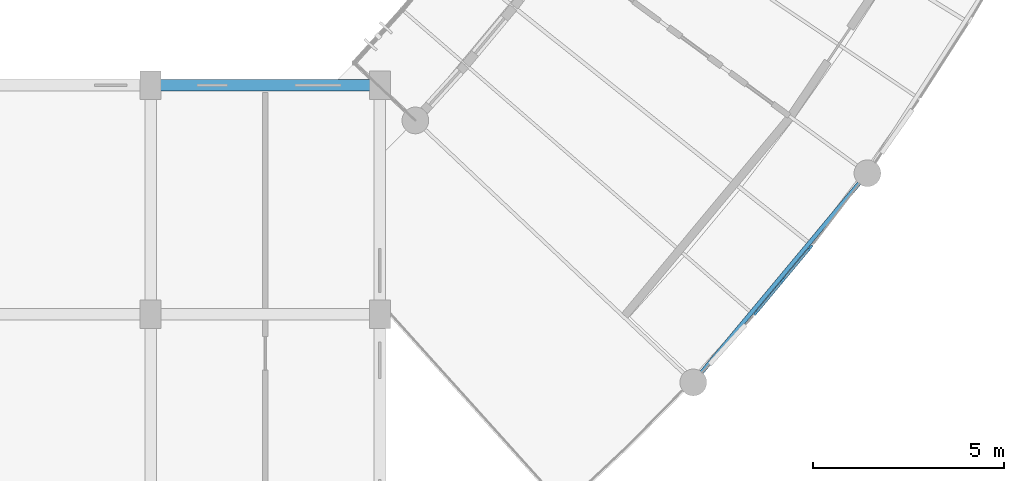
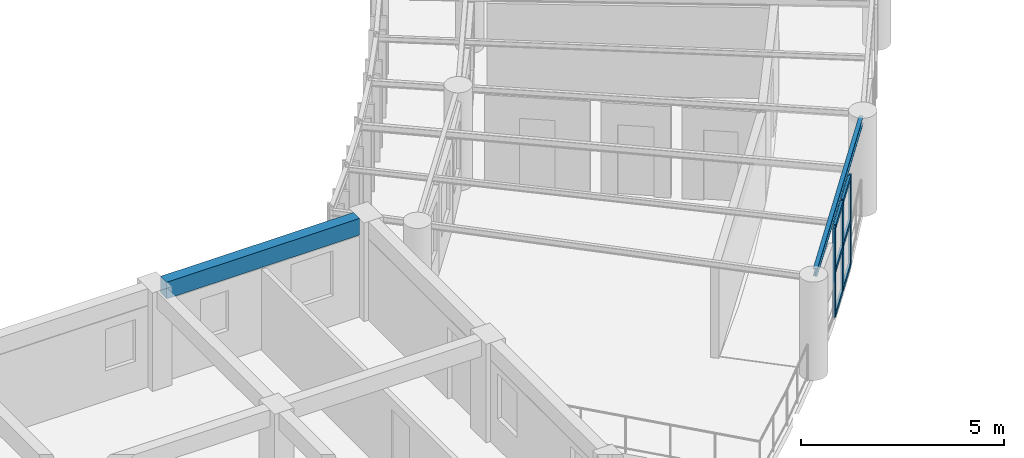
# One storey, part 10 of 123: 9 members, 2 beams, 1 element without a shape of its own.
"""IFC4 building model written with IfcOpenShell, lengths in metres."""

from ifc_helpers import new_model, si_unit, direction, frame, origin, origin_2d, place, context, subcontext, project, spatial, rectangle, i_section, extrude, material, layer, layer_set, material_profile, profile_set, type_object, element, aggregate, save


model = new_model("IFC4")

# Units and contexts
model_context = context("Model", 3, precision=1e-05, world=origin(), true_north=direction((0.0, 1.0)))
body_context = subcontext(model_context, "Body", "Model", "MODEL_VIEW")
ifc_project = project(units=[si_unit("LENGTHUNIT", "METRE"), si_unit("AREAUNIT", "SQUARE_METRE"), si_unit("VOLUMEUNIT", "CUBIC_METRE"), si_unit("PLANEANGLEUNIT", "RADIAN"), si_unit("MASSUNIT", "GRAM", prefix="KILO"), si_unit("POWERUNIT", "WATT"), si_unit("THERMODYNAMICTEMPERATUREUNIT", "KELVIN")], contexts=[model_context])

# Site, building, storey
site_placement = place(None, origin())
site = spatial("IfcSite", under=ifc_project, at=site_placement, CompositionType="ELEMENT")
building_placement = place(site_placement, origin())
building = spatial("IfcBuilding", under=site, at=building_placement, Name="Ruvembo Vaulted Housing Court", CompositionType="ELEMENT")
storey_placement = place(building_placement, frame((0.0, 0.0, 7.699951171875)))
storey = spatial("IfcBuildingStorey", under=building, at=storey_placement, Name="L02", CompositionType="ELEMENT", Elevation=7.699951171875)

# Beam
ifc_material_1 = material(Name="Steel S355J2", Category="steel")
ifc_material_profile_1 = material_profile(ifc_material_1, i_section(OverallWidth=0.110107421875, OverallDepth=0.219970703125, WebThickness=0.005859375, FlangeThickness=0.00927734375, FilletRadius=0.011962890625, at=origin_2d()), Name="IPE 220")
ifc_profile_set_1 = profile_set([ifc_material_profile_1], Name="Steel S355J2")
beam_type_1 = type_object("IfcBeamType", Name="BM-ST-IPE220", PredefinedType="SPANDREL", material=ifc_profile_set_1)
beam_1_placement = place(storey_placement, frame((44.35498046875, 34.39599609375, 2.83203125), z_axis=(0.639878120944, 0.768476408445, 0.0), x_axis=(-0.768476408445, 0.639878120944, 0.0)))
element("IfcBeam", 1, at=beam_1_placement, inside=storey, type_object=beam_type_1, Name="Scoop SC1 L02 Chord Girder B0", PredefinedType="SPANDREL", context=body_context, shape_type="SweptSolid", body=[
    extrude(i_section(OverallWidth=0.110107421875, OverallDepth=0.219970703125, WebThickness=0.005859375, FlangeThickness=0.00927734375, FilletRadius=0.011962890625, at=origin_2d()), origin(), (0.0, 0.0, 1.0), 6.66552734375),
])

# Curtain wall, members
ifc_material_2 = material(Name="Anodised Aluminium and Solar-Control Glass", Category="aluminium")
ifc_layer = layer(ifc_material_2, 0.1201171875, Name="Anodised Aluminium and Solar-Control Glass")
ifc_layer_set = layer_set([ifc_layer], Name="Anodised Aluminium and Solar-Control Glass")
curtain_wall_type = type_object("IfcCurtainWallType", Name="CW-SCOOP-GAL", PredefinedType="NOTDEFINED", material=ifc_layer_set)
curtain_wall_placement = place(storey_placement, origin())
curtain_wall = element("IfcCurtainWall", 2, at=curtain_wall_placement, inside=storey, type_object=curtain_wall_type, Name="L02 Curtain Wall CW-L02-0013", PredefinedType="NOTDEFINED")
ifc_material_3 = material(Name="Anodised Aluminium 6063-T6", Category="aluminium")
ifc_material_profile_2 = material_profile(ifc_material_3, rectangle(XDim=0.06005859375, YDim=0.159912109375, at=origin_2d()), Name="ALU 60x160")
ifc_profile_set_2 = profile_set([ifc_material_profile_2], Name="Anodised Aluminium 6063-T6")
member_type_1 = type_object("IfcMemberType", Name="CW-MULLION-65x150", PredefinedType="MULLION", material=ifc_profile_set_2)
member_1_placement = place(storey_placement, frame((45.853271484375, 36.043212890625, 0.0), z_axis=(0.0, 0.0, 1.0), x_axis=(-0.768484050303, 0.639868943167, 0.0)))
member_1 = element("IfcMember", 3, at=member_1_placement, type_object=member_type_1, Name="CW6 mullion 1", PredefinedType="MULLION", context=body_context, shape_type="SweptSolid", body=[
    extrude(rectangle(XDim=0.06005859375, YDim=0.159912109375, at=origin_2d()), origin(), (0.0, 0.0, 1.0), 2.697998046875),
])
member_2_placement = place(storey_placement, frame((46.562255859375, 36.89501953125, 0.0), z_axis=(0.0, 0.0, 1.0), x_axis=(-0.768484050303, 0.639868943167, 0.0)))
member_2 = element("IfcMember", 4, at=member_2_placement, type_object=member_type_1, Name="CW6 mullion 2", PredefinedType="MULLION", context=body_context, shape_type="SweptSolid", body=[
    extrude(rectangle(XDim=0.06005859375, YDim=0.159912109375, at=origin_2d()), origin(), (0.0, 0.0, 1.0), 2.697998046875),
])
member_3_placement = place(storey_placement, frame((47.271484375, 37.74658203125, 0.0), z_axis=(0.0, 0.0, 1.0), x_axis=(-0.768484050303, 0.639868943167, 0.0)))
member_3 = element("IfcMember", 5, at=member_3_placement, type_object=member_type_1, Name="CW6 mullion 3", PredefinedType="MULLION", context=body_context, shape_type="SweptSolid", body=[
    extrude(rectangle(XDim=0.06005859375, YDim=0.159912109375, at=origin_2d()), origin(), (0.0, 0.0, 1.0), 2.697998046875),
])
ifc_material_profile_3 = material_profile(ifc_material_3, rectangle(XDim=0.06494140625, YDim=0.135009765625, at=origin_2d()), Name="ALU 65x135")
ifc_profile_set_3 = profile_set([ifc_material_profile_3], Name="Anodised Aluminium 6063-T6")
member_type_2 = type_object("IfcMemberType", Name="CW-TRN-65x135", PredefinedType="USERDEFINED", material=ifc_profile_set_3)
member_4_placement = place(storey_placement, frame((45.872314453125, 36.06640625, 0.032470703125), z_axis=(0.640024024625, 0.768354897103, 0.0), x_axis=(-0.768354897103, 0.640024024625, 0.0)))
member_4 = element("IfcMember", 6, at=member_4_placement, type_object=member_type_2, Name="CW6 transom 1.1", ObjectType="TRANSOM", PredefinedType="USERDEFINED", context=body_context, shape_type="SweptSolid", body=[
    extrude(rectangle(XDim=0.06494140625, YDim=0.135009765625, at=origin_2d()), origin(), (0.0, 0.0, 1.0), 1.04833984375),
])
member_5_placement = place(storey_placement, frame((45.872314453125, 36.06640625, 1.34912109375), z_axis=(0.640024024625, 0.768354897103, 0.0), x_axis=(-0.768354897103, 0.640024024625, 0.0)))
member_5 = element("IfcMember", 7, at=member_5_placement, type_object=member_type_2, Name="CW6 transom 1.2", ObjectType="TRANSOM", PredefinedType="USERDEFINED", context=body_context, shape_type="SweptSolid", body=[
    extrude(rectangle(XDim=0.06494140625, YDim=0.135009765625, at=origin_2d()), origin(), (0.0, 0.0, 1.0), 1.04833984375),
])
member_6_placement = place(storey_placement, frame((45.872314453125, 36.06640625, 2.66552734375), z_axis=(0.640024024625, 0.768354897103, 0.0), x_axis=(-0.768354897103, 0.640024024625, 0.0)))
member_6 = element("IfcMember", 8, at=member_6_placement, type_object=member_type_2, Name="CW6 transom 1.3", ObjectType="TRANSOM", PredefinedType="USERDEFINED", context=body_context, shape_type="SweptSolid", body=[
    extrude(rectangle(XDim=0.06494140625, YDim=0.135009765625, at=origin_2d()), origin(), (0.0, 0.0, 1.0), 1.04833984375),
])
member_7_placement = place(storey_placement, frame((46.58154296875, 36.91796875, 0.032470703125), z_axis=(0.639771962699, 0.768564789555, 0.0), x_axis=(-0.768564789555, 0.639771962699, 0.0)))
member_7 = element("IfcMember", 9, at=member_7_placement, type_object=member_type_2, Name="CW6 transom 2.1", ObjectType="TRANSOM", PredefinedType="USERDEFINED", context=body_context, shape_type="SweptSolid", body=[
    extrude(rectangle(XDim=0.06494140625, YDim=0.135009765625, at=origin_2d()), origin(), (0.0, 0.0, 1.0), 1.04833984375),
])
member_8_placement = place(storey_placement, frame((46.58154296875, 36.91796875, 1.34912109375), z_axis=(0.639771962699, 0.768564789555, 0.0), x_axis=(-0.768564789555, 0.639771962699, 0.0)))
member_8 = element("IfcMember", 10, at=member_8_placement, type_object=member_type_2, Name="CW6 transom 2.2", ObjectType="TRANSOM", PredefinedType="USERDEFINED", context=body_context, shape_type="SweptSolid", body=[
    extrude(rectangle(XDim=0.06494140625, YDim=0.135009765625, at=origin_2d()), origin(), (0.0, 0.0, 1.0), 1.04833984375),
])
member_9_placement = place(storey_placement, frame((46.58154296875, 36.91796875, 2.66552734375), z_axis=(0.639771962699, 0.768564789555, 0.0), x_axis=(-0.768564789555, 0.639771962699, 0.0)))
member_9 = element("IfcMember", 11, at=member_9_placement, type_object=member_type_2, Name="CW6 transom 2.3", ObjectType="TRANSOM", PredefinedType="USERDEFINED", context=body_context, shape_type="SweptSolid", body=[
    extrude(rectangle(XDim=0.06494140625, YDim=0.135009765625, at=origin_2d()), origin(), (0.0, 0.0, 1.0), 1.04833984375),
])
aggregate(curtain_wall, [member_1, member_2, member_3, member_4, member_5, member_6, member_7, member_8, member_9])

# Beam
ifc_material_4 = material(Name="Concrete C35/45", Category="concrete")
ifc_material_profile_4 = material_profile(ifc_material_4, rectangle(XDim=0.300048828125, YDim=0.5, at=origin_2d()), Name="RC 300x500")
ifc_profile_set_4 = profile_set([ifc_material_profile_4], Name="Concrete C35/45")
beam_type_2 = type_object("IfcBeamType", Name="SP-RC-300x500", PredefinedType="SPANDREL", material=ifc_profile_set_4)
beam_2_placement = place(storey_placement, frame((30.260009765625, 42.0, 2.705078125), z_axis=(1.0, 0.0, 0.0), x_axis=(0.0, 1.0, 0.0)))
element("IfcBeam", 12, at=beam_2_placement, inside=storey, type_object=beam_type_2, Name="L02 Grid Beam X #1494", PredefinedType="SPANDREL", context=body_context, shape_type="SweptSolid", body=[
    extrude(rectangle(XDim=0.300048828125, YDim=0.5, at=origin_2d()), origin(), (0.0, 0.0, 1.0), 5.47998046875),
])

save(model, "model.ifc")
